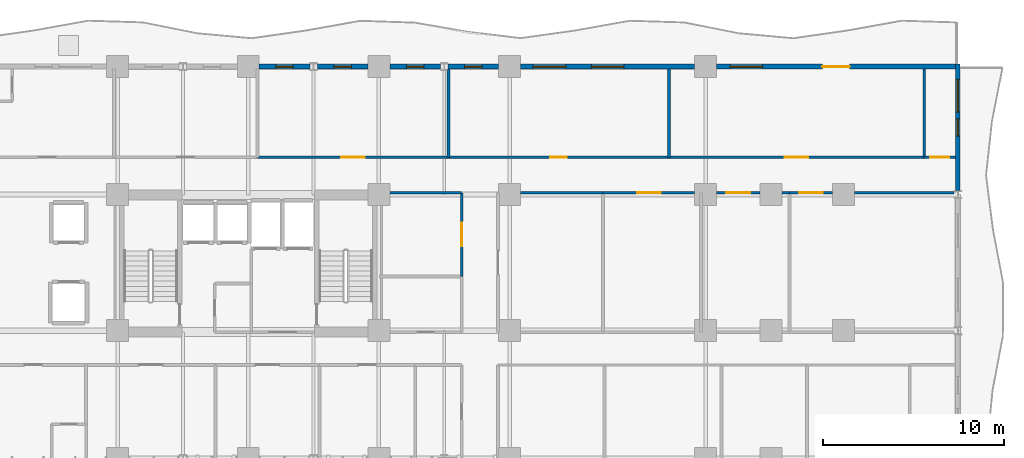
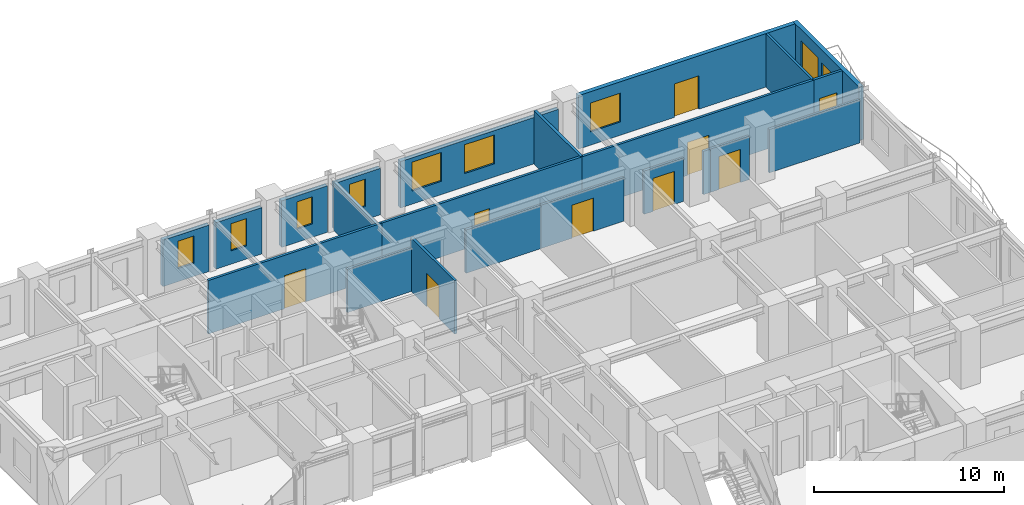
# One storey, part 12 of 16: 22 walls, 9 doors, 9 windows, 18 openings.
"""IFC4 building model written with IfcOpenShell, lengths in metres."""

from ifc_helpers import new_model, si_unit, direction, frame, frame_2d, origin, place, context, subcontext, project, spatial, rectangle, extrude, material, layer, layer_set, type_object, element, fill, save


model = new_model("IFC4")

# Units and contexts
model_context = context("Model", 3, precision=1e-05, world=origin(), true_north=direction((0.0, 1.0)))
body_context = subcontext(model_context, "Body", "Model", "MODEL_VIEW")
ifc_project = project(units=[si_unit("LENGTHUNIT", "METRE"), si_unit("AREAUNIT", "SQUARE_METRE"), si_unit("VOLUMEUNIT", "CUBIC_METRE"), si_unit("PLANEANGLEUNIT", "RADIAN"), si_unit("MASSUNIT", "GRAM", prefix="KILO")], contexts=[model_context])

# Site, building, storey
site_placement = place(None, origin())
site = spatial("IfcSite", under=ifc_project, at=site_placement, CompositionType="ELEMENT")
building_placement = place(site_placement, origin())
building = spatial("IfcBuilding", under=site, at=building_placement, Name="Kaliganga Portal Commons", CompositionType="ELEMENT")
storey_placement = place(building_placement, frame((0.0, 0.0, 97.10009765625)))
storey = spatial("IfcBuildingStorey", under=building, at=storey_placement, Name="L24", CompositionType="ELEMENT", Elevation=97.10009765625)

# Wall, openings, windows
ifc_material_1 = material(Name="Insulated Aluminium-Clad Spandrel Assembly", Category="aluminium")
ifc_layer_1 = layer(ifc_material_1, 0.260009765625)
ifc_layer_set_1 = layer_set([ifc_layer_1], Name="Insulated Aluminium-Clad Spandrel Assembly")
wall_type_1 = type_object("IfcWallType", Name="WL-EXT-SPAND-260", PredefinedType="STANDARD", material=ifc_layer_set_1)
wall_1_placement = place(storey_placement, frame((60.699951171875, 43.330078125, 0.0), z_axis=(0.0, 0.0, 1.0), x_axis=(0.0, -1.0, 0.0)))
wall_1 = element("IfcWall", 1, at=wall_1_placement, inside=storey, type_object=wall_type_1, Name="Exterior Envelope Wall L24 P1-E01-S6", PredefinedType="STANDARD", context=body_context, shape_type="SweptSolid", body=[
    extrude(rectangle(XDim=6.964111328125, YDim=0.260009765625, at=frame_2d((3.48193359375, 0.0))), origin(), (0.0, 0.0, 1.0), 3.429931640625),
])
opening_1_placement = place(wall_1_placement, frame((0.841064453125, 0.0, 0.85009765625)))
opening_1 = element("IfcOpeningElement", 2, at=opening_1_placement, cuts=wall_1, Name="Opening W-01", PredefinedType="OPENING", context=body_context, shape_type="SweptSolid", body=[
    extrude(rectangle(XDim=1.800048828125, YDim=1.85009765625, at=frame_2d((0.89990234375, 0.925048828125))), frame((0.0, 0.14013671875, 0.0), z_axis=(0.0, -1.0, 0.0), x_axis=(1.0, 0.0, 0.0)), (0.0, 0.0, 1.0), 0.280029296875),
])
opening_2_placement = place(wall_1_placement, frame((3.007080078125, 0.0, 0.85009765625)))
opening_2 = element("IfcOpeningElement", 3, at=opening_2_placement, cuts=wall_1, Name="Opening W-04", PredefinedType="OPENING", context=body_context, shape_type="SweptSolid", body=[
    extrude(rectangle(XDim=0.949951171875, YDim=1.75, at=frame_2d((0.47509765625, 0.875))), frame((0.0, 0.14013671875, 0.0), z_axis=(0.0, -1.0, 0.0), x_axis=(1.0, 0.0, 0.0)), (0.0, 0.0, 1.0), 0.280029296875),
])
ifc_material_2 = material(Name="Thermally Broken Aluminium and Low-E Double Glazing", Category="aluminium")
window_type_1 = type_object("IfcWindowType", Name="WIN-NARROW-950", PartitioningType="SINGLE_PANEL", PredefinedType="WINDOW", material=ifc_material_2)
window_1_placement = place(opening_2_placement, origin())
window_1 = element("IfcWindow", 4, at=window_1_placement, inside=storey, type_object=window_type_1, Name="Facade Window L24-P1E01S6-N0", OverallHeight=1.75, OverallWidth=0.949951171875, PartitioningType="SINGLE_PANEL", PredefinedType="WINDOW", context=body_context, shape_type="SweptSolid", body=[
    extrude(rectangle(XDim=0.949951171875, YDim=1.75, at=frame_2d((0.47509765625, 0.875))), frame((0.0, 0.030029296875, 0.0), z_axis=(0.0, -1.0, 0.0), x_axis=(1.0, 0.0, 0.0)), (0.0, 0.0, 1.0), 0.06005859375),
])
fill(opening_2, window_1)
window_type_2 = type_object("IfcWindowType", Name="WIN-STD-1800", PartitioningType="DOUBLE_PANEL_VERTICAL", PredefinedType="WINDOW", material=ifc_material_2)
window_2_placement = place(opening_1_placement, origin())
window_2 = element("IfcWindow", 5, at=window_2_placement, inside=storey, type_object=window_type_2, Name="Facade Window L24-P1E01S6-00", OverallHeight=1.85009765625, OverallWidth=1.800048828125, PartitioningType="SINGLE_PANEL", PredefinedType="WINDOW", context=body_context, shape_type="SweptSolid", body=[
    extrude(rectangle(XDim=1.800048828125, YDim=1.85009765625, at=frame_2d((0.89990234375, 0.925048828125))), frame((0.0, 0.030029296875, 0.0), z_axis=(0.0, -1.0, 0.0), x_axis=(1.0, 0.0, 0.0)), (0.0, 0.0, 1.0), 0.06005859375),
])
fill(opening_1, window_2)

# Wall, openings, door, window
wall_2_placement = place(storey_placement, frame((47.40087890625, 43.199951171875, 0.0), z_axis=(0.0, 0.0, 1.0), x_axis=(1.0, 0.0, 0.0)))
wall_2 = element("IfcWall", 6, at=wall_2_placement, inside=storey, type_object=wall_type_1, Name="Exterior Envelope Wall L24 P1-E02-S1", PredefinedType="STANDARD", context=body_context, shape_type="SweptSolid", body=[
    extrude(rectangle(XDim=13.1640625, YDim=0.260009765625, at=frame_2d((6.58203125, 0.0))), origin(), (0.0, 0.0, 1.0), 3.429931640625),
])
opening_3_placement = place(wall_2_placement, frame((5.83203125, 0.0, 0.0)))
opening_3 = element("IfcOpeningElement", 7, at=opening_3_placement, cuts=wall_2, Name="Opening BD-01", PredefinedType="OPENING", context=body_context, shape_type="SweptSolid", body=[
    extrude(rectangle(XDim=1.5, YDim=2.14990234375, at=frame_2d((0.75, 1.074951171875))), frame((0.0, 0.14013671875, 0.0), z_axis=(0.0, -1.0, 0.0), x_axis=(1.0, 0.0, 0.0)), (0.0, 0.0, 1.0), 0.280029296875),
])
opening_4_placement = place(wall_2_placement, frame((0.74560546875, 0.0, 0.85009765625)))
opening_4 = element("IfcOpeningElement", 8, at=opening_4_placement, cuts=wall_2, Name="Opening W-01", PredefinedType="OPENING", context=body_context, shape_type="SweptSolid", body=[
    extrude(rectangle(XDim=1.800048828125, YDim=1.85009765625, at=frame_2d((0.89990234375, 0.925048828125))), frame((0.0, 0.14013671875, 0.0), z_axis=(0.0, -1.0, 0.0), x_axis=(1.0, 0.0, 0.0)), (0.0, 0.0, 1.0), 0.280029296875),
])
ifc_material_3 = material(Name="Anodized Aluminium and Laminated Safety Glass", Category="aluminium")
door_type_1 = type_object("IfcDoorType", Name="DR-BALC-1500", OperationType="SLIDING_TO_LEFT", PredefinedType="DOOR", material=ifc_material_3)
door_1_placement = place(opening_3_placement, origin())
door_1 = element("IfcDoor", 9, at=door_1_placement, inside=storey, type_object=door_type_1, Name="Balcony Sliding Door L24 balc_north", OperationType="SLIDING_TO_LEFT", OverallHeight=2.14990234375, OverallWidth=1.5, PredefinedType="DOOR", context=body_context, shape_type="SweptSolid", body=[
    extrude(rectangle(XDim=1.5, YDim=2.14990234375, at=frame_2d((0.75, 1.074951171875))), frame((0.0, 0.02490234375, 0.0), z_axis=(0.0, -1.0, 0.0), x_axis=(1.0, 0.0, 0.0)), (0.0, 0.0, 1.0), 0.050048828125),
])
fill(opening_3, door_1)
window_3_placement = place(opening_4_placement, origin())
window_3 = element("IfcWindow", 10, at=window_3_placement, inside=storey, type_object=window_type_2, Name="Facade Window L24-P1E02S1-00", OverallHeight=1.85009765625, OverallWidth=1.800048828125, PartitioningType="SINGLE_PANEL", PredefinedType="WINDOW", context=body_context, shape_type="SweptSolid", body=[
    extrude(rectangle(XDim=1.800048828125, YDim=1.85009765625, at=frame_2d((0.89990234375, 0.925048828125))), frame((0.0, 0.030029296875, 0.0), z_axis=(0.0, -1.0, 0.0), x_axis=(1.0, 0.0, 0.0)), (0.0, 0.0, 1.0), 0.06005859375),
])
fill(opening_4, window_3)

# Wall, openings, windows
wall_3_placement = place(storey_placement, frame((36.60107421875, 43.199951171875, 0.0), z_axis=(0.0, 0.0, 1.0), x_axis=(1.0, 0.0, 0.0)))
wall_3 = element("IfcWall", 11, at=wall_3_placement, inside=storey, type_object=wall_type_1, Name="Exterior Envelope Wall L24 P1-E02-S2", PredefinedType="STANDARD", context=body_context, shape_type="SweptSolid", body=[
    extrude(rectangle(XDim=9.597900390625, YDim=0.260009765625, at=frame_2d((4.798828125, 0.0))), origin(), (0.0, 0.0, 1.0), 2.97998046875),
])
opening_5_placement = place(wall_3_placement, frame((0.69970703125, 0.0, 0.85009765625)))
opening_5 = element("IfcOpeningElement", 12, at=opening_5_placement, cuts=wall_3, Name="Opening W-01", PredefinedType="OPENING", context=body_context, shape_type="SweptSolid", body=[
    extrude(rectangle(XDim=1.800048828125, YDim=1.85009765625, at=frame_2d((0.89990234375, 0.925048828125))), frame((0.0, 0.14013671875, 0.0), z_axis=(0.0, -1.0, 0.0), x_axis=(1.0, 0.0, 0.0)), (0.0, 0.0, 1.0), 0.280029296875),
])
opening_6_placement = place(wall_3_placement, frame((3.89892578125, 0.0, 0.85009765625)))
opening_6 = element("IfcOpeningElement", 13, at=opening_6_placement, cuts=wall_3, Name="Opening W-01", PredefinedType="OPENING", context=body_context, shape_type="SweptSolid", body=[
    extrude(rectangle(XDim=1.800048828125, YDim=1.85009765625, at=frame_2d((0.89990234375, 0.925048828125))), frame((0.0, 0.14013671875, 0.0), z_axis=(0.0, -1.0, 0.0), x_axis=(1.0, 0.0, 0.0)), (0.0, 0.0, 1.0), 0.280029296875),
])
window_4_placement = place(opening_5_placement, origin())
window_4 = element("IfcWindow", 14, at=window_4_placement, inside=storey, type_object=window_type_2, Name="Facade Window L24-P1E02S2-00", OverallHeight=1.85009765625, OverallWidth=1.800048828125, PartitioningType="SINGLE_PANEL", PredefinedType="WINDOW", context=body_context, shape_type="SweptSolid", body=[
    extrude(rectangle(XDim=1.800048828125, YDim=1.85009765625, at=frame_2d((0.89990234375, 0.925048828125))), frame((0.0, 0.030029296875, 0.0), z_axis=(0.0, -1.0, 0.0), x_axis=(1.0, 0.0, 0.0)), (0.0, 0.0, 1.0), 0.06005859375),
])
fill(opening_5, window_4)
window_5_placement = place(opening_6_placement, origin())
window_5 = element("IfcWindow", 15, at=window_5_placement, inside=storey, type_object=window_type_2, Name="Facade Window L24-P1E02S2-01", OverallHeight=1.85009765625, OverallWidth=1.800048828125, PartitioningType="SINGLE_PANEL", PredefinedType="WINDOW", context=body_context, shape_type="SweptSolid", body=[
    extrude(rectangle(XDim=1.800048828125, YDim=1.85009765625, at=frame_2d((0.89990234375, 0.925048828125))), frame((0.0, 0.030029296875, 0.0), z_axis=(0.0, -1.0, 0.0), x_axis=(1.0, 0.0, 0.0)), (0.0, 0.0, 1.0), 0.06005859375),
])
fill(opening_6, window_5)

# Wall, opening, window
wall_4_placement = place(storey_placement, frame((32.60546875, 43.199951171875, 0.0), z_axis=(0.0, 0.0, 1.0), x_axis=(1.0, 0.0, 0.0)))
wall_4 = element("IfcWall", 16, at=wall_4_placement, inside=storey, type_object=wall_type_1, Name="Exterior Envelope Wall L24 P1-E02-S3", PredefinedType="STANDARD", context=body_context, shape_type="SweptSolid", body=[
    extrude(rectangle(XDim=2.79345703125, YDim=0.260009765625, at=frame_2d((1.396728515625, 0.0))), origin(), (0.0, 0.0, 1.0), 2.97998046875),
])
opening_7_placement = place(wall_4_placement, frame((0.921875, 0.0, 0.85009765625)))
opening_7 = element("IfcOpeningElement", 17, at=opening_7_placement, cuts=wall_4, Name="Opening W-04", PredefinedType="OPENING", context=body_context, shape_type="SweptSolid", body=[
    extrude(rectangle(XDim=0.949951171875, YDim=1.75, at=frame_2d((0.47509765625, 0.875))), frame((0.0, 0.14013671875, 0.0), z_axis=(0.0, -1.0, 0.0), x_axis=(1.0, 0.0, 0.0)), (0.0, 0.0, 1.0), 0.280029296875),
])
window_6_placement = place(opening_7_placement, origin())
window_6 = element("IfcWindow", 18, at=window_6_placement, inside=storey, type_object=window_type_1, Name="Facade Window L24-P1E02S3-00", OverallHeight=1.75, OverallWidth=0.949951171875, PartitioningType="SINGLE_PANEL", PredefinedType="WINDOW", context=body_context, shape_type="SweptSolid", body=[
    extrude(rectangle(XDim=0.949951171875, YDim=1.75, at=frame_2d((0.47509765625, 0.875))), frame((0.0, 0.030029296875, 0.0), z_axis=(0.0, -1.0, 0.0), x_axis=(1.0, 0.0, 0.0)), (0.0, 0.0, 1.0), 0.06005859375),
])
fill(opening_7, window_6)

wall_5_placement = place(storey_placement, frame((29.40087890625, 43.199951171875, 0.0), z_axis=(0.0, 0.0, 1.0), x_axis=(1.0, 0.0, 0.0)))
wall_5 = element("IfcWall", 19, at=wall_5_placement, inside=storey, type_object=wall_type_1, Name="Exterior Envelope Wall L24 P1-E02-S4", PredefinedType="STANDARD", context=body_context, shape_type="SweptSolid", body=[
    extrude(rectangle(XDim=2.793701171875, YDim=0.260009765625, at=frame_2d((1.39697265625, 0.0))), origin(), (0.0, 0.0, 1.0), 2.97998046875),
])
opening_8_placement = place(wall_5_placement, frame((0.921630859375, 0.0, 0.85009765625)))
opening_8 = element("IfcOpeningElement", 20, at=opening_8_placement, cuts=wall_5, Name="Opening W-04", PredefinedType="OPENING", context=body_context, shape_type="SweptSolid", body=[
    extrude(rectangle(XDim=0.949951171875, YDim=1.75, at=frame_2d((0.47509765625, 0.875))), frame((0.0, 0.14013671875, 0.0), z_axis=(0.0, -1.0, 0.0), x_axis=(1.0, 0.0, 0.0)), (0.0, 0.0, 1.0), 0.280029296875),
])
window_7_placement = place(opening_8_placement, origin())
window_7 = element("IfcWindow", 21, at=window_7_placement, inside=storey, type_object=window_type_1, Name="Facade Window L24-P1E02S4-00", OverallHeight=1.75, OverallWidth=0.949951171875, PartitioningType="SINGLE_PANEL", PredefinedType="WINDOW", context=body_context, shape_type="SweptSolid", body=[
    extrude(rectangle(XDim=0.949951171875, YDim=1.75, at=frame_2d((0.47509765625, 0.875))), frame((0.0, 0.030029296875, 0.0), z_axis=(0.0, -1.0, 0.0), x_axis=(1.0, 0.0, 0.0)), (0.0, 0.0, 1.0), 0.06005859375),
])
fill(opening_8, window_7)

wall_6_placement = place(storey_placement, frame((25.405517578125, 43.199951171875, 0.0), z_axis=(0.0, 0.0, 1.0), x_axis=(1.0, 0.0, 0.0)))
wall_6 = element("IfcWall", 22, at=wall_6_placement, inside=storey, type_object=wall_type_1, Name="Exterior Envelope Wall L24 P1-E02-S5", PredefinedType="STANDARD", context=body_context, shape_type="SweptSolid", body=[
    extrude(rectangle(XDim=2.79345703125, YDim=0.260009765625, at=frame_2d((1.396728515625, 0.0))), origin(), (0.0, 0.0, 1.0), 2.97998046875),
])
opening_9_placement = place(wall_6_placement, frame((0.921875, 0.0, 0.85009765625)))
opening_9 = element("IfcOpeningElement", 23, at=opening_9_placement, cuts=wall_6, Name="Opening W-04", PredefinedType="OPENING", context=body_context, shape_type="SweptSolid", body=[
    extrude(rectangle(XDim=0.949951171875, YDim=1.75, at=frame_2d((0.47509765625, 0.875))), frame((0.0, 0.14013671875, 0.0), z_axis=(0.0, -1.0, 0.0), x_axis=(1.0, 0.0, 0.0)), (0.0, 0.0, 1.0), 0.280029296875),
])
window_8_placement = place(opening_9_placement, origin())
window_8 = element("IfcWindow", 24, at=window_8_placement, inside=storey, type_object=window_type_1, Name="Facade Window L24-P1E02S5-00", OverallHeight=1.75, OverallWidth=0.949951171875, PartitioningType="SINGLE_PANEL", PredefinedType="WINDOW", context=body_context, shape_type="SweptSolid", body=[
    extrude(rectangle(XDim=0.949951171875, YDim=1.75, at=frame_2d((0.47509765625, 0.875))), frame((0.0, 0.030029296875, 0.0), z_axis=(0.0, -1.0, 0.0), x_axis=(1.0, 0.0, 0.0)), (0.0, 0.0, 1.0), 0.06005859375),
])
fill(opening_9, window_8)

wall_7_placement = place(storey_placement, frame((22.200927734375, 43.199951171875, 0.0), z_axis=(0.0, 0.0, 1.0), x_axis=(1.0, 0.0, 0.0)))
wall_7 = element("IfcWall", 25, at=wall_7_placement, inside=storey, type_object=wall_type_1, Name="Exterior Envelope Wall L24 P1-E02-S6", PredefinedType="STANDARD", context=body_context, shape_type="SweptSolid", body=[
    extrude(rectangle(XDim=2.79345703125, YDim=0.260009765625, at=frame_2d((1.396728515625, 0.0))), origin(), (0.0, 0.0, 1.0), 2.97998046875),
])
opening_10_placement = place(wall_7_placement, frame((0.921630859375, 0.0, 0.85009765625)))
opening_10 = element("IfcOpeningElement", 26, at=opening_10_placement, cuts=wall_7, Name="Opening W-04", PredefinedType="OPENING", context=body_context, shape_type="SweptSolid", body=[
    extrude(rectangle(XDim=0.949951171875, YDim=1.75, at=frame_2d((0.47509765625, 0.875))), frame((0.0, 0.14013671875, 0.0), z_axis=(0.0, -1.0, 0.0), x_axis=(1.0, 0.0, 0.0)), (0.0, 0.0, 1.0), 0.280029296875),
])
window_9_placement = place(opening_10_placement, origin())
window_9 = element("IfcWindow", 27, at=window_9_placement, inside=storey, type_object=window_type_1, Name="Facade Window L24-P1E02S6-00", OverallHeight=1.75, OverallWidth=0.949951171875, PartitioningType="SINGLE_PANEL", PredefinedType="WINDOW", context=body_context, shape_type="SweptSolid", body=[
    extrude(rectangle(XDim=0.949951171875, YDim=1.75, at=frame_2d((0.47509765625, 0.875))), frame((0.0, 0.030029296875, 0.0), z_axis=(0.0, -1.0, 0.0), x_axis=(1.0, 0.0, 0.0)), (0.0, 0.0, 1.0), 0.06005859375),
])
fill(opening_10, window_9)

# Wall, opening, door
ifc_material_4 = material(Name="Fire-Rated Gypsum Board on Steel Stud", Category="steel")
ifc_layer_2 = layer(ifc_material_4, 0.14990234375)
ifc_layer_set_2 = layer_set([ifc_layer_2], Name="Fire-Rated Gypsum Board on Steel Stud")
wall_type_2 = type_object("IfcWallType", Name="WL-PART-CORR-150", PredefinedType="PARTITIONING", material=ifc_layer_set_2)
wall_8_placement = place(storey_placement, frame((44.780029296875, 38.199951171875, 0.0), z_axis=(0.0, 0.0, 1.0), x_axis=(1.0, 0.0, 0.0)))
wall_8 = element("IfcWall", 28, at=wall_8_placement, inside=storey, type_object=wall_type_2, Name="Interior Partition L24-006", PredefinedType="PARTITIONING", context=body_context, shape_type="SweptSolid", body=[
    extrude(rectangle(XDim=14.06005859375, YDim=0.14990234375, at=frame_2d((7.030029296875, 0.0))), origin(), (0.0, 0.0, 1.0), 3.429931640625),
])
opening_11_placement = place(wall_8_placement, frame((6.3798828125, 0.0, 0.0)))
opening_11 = element("IfcOpeningElement", 29, at=opening_11_placement, cuts=wall_8, Name="Opening RD-03", PredefinedType="OPENING", context=body_context, shape_type="SweptSolid", body=[
    extrude(rectangle(XDim=1.300048828125, YDim=2.1201171875, at=frame_2d((0.64990234375, 1.06005859375))), frame((0.0, 0.0849609375, 0.0), z_axis=(0.0, -1.0, 0.0), x_axis=(1.0, 0.0, 0.0)), (0.0, 0.0, 1.0), 0.169921875),
])
ifc_material_5 = material(Name="Glazed Timber Seminar Vision Door", Category="wood")
door_type_2 = type_object("IfcDoorType", Name="DR-STUDY-1300", OperationType="DOUBLE_DOOR_SINGLE_SWING", PredefinedType="DOOR", material=ifc_material_5)
door_2_placement = place(opening_11_placement, origin())
door_2 = element("IfcDoor", 30, at=door_2_placement, inside=storey, type_object=door_type_2, Name="Interior Door L24-AN05", OperationType="DOUBLE_DOOR_SINGLE_SWING", OverallHeight=2.1201171875, OverallWidth=1.300048828125, PredefinedType="DOOR", context=body_context, shape_type="SweptSolid", body=[
    extrude(rectangle(XDim=1.300048828125, YDim=2.1201171875, at=frame_2d((0.64990234375, 1.06005859375))), frame((0.0, 0.02490234375, 0.0), z_axis=(0.0, -1.0, 0.0), x_axis=(1.0, 0.0, 0.0)), (0.0, 0.0, 1.0), 0.050048828125),
])
fill(opening_11, door_2)

wall_9_placement = place(storey_placement, frame((32.6201171875, 38.199951171875, 0.0), z_axis=(0.0, 0.0, 1.0), x_axis=(1.0, 0.0, 0.0)))
wall_9 = element("IfcWall", 31, at=wall_9_placement, inside=storey, type_object=wall_type_2, Name="Interior Partition L24-008", PredefinedType="PARTITIONING", context=body_context, shape_type="SweptSolid", body=[
    extrude(rectangle(XDim=12.159912109375, YDim=0.14990234375, at=frame_2d((6.080078125, 0.0))), origin(), (0.0, 0.0, 1.0), 3.429931640625),
])
opening_12_placement = place(wall_9_placement, frame((5.6298828125, 0.0, 0.0)))
opening_12 = element("IfcOpeningElement", 32, at=opening_12_placement, cuts=wall_9, Name="Opening RD-01", PredefinedType="OPENING", context=body_context, shape_type="SweptSolid", body=[
    extrude(rectangle(XDim=0.89990234375, YDim=2.080078125, at=frame_2d((0.449951171875, 1.0400390625))), frame((0.0, 0.0849609375, 0.0), z_axis=(0.0, -1.0, 0.0), x_axis=(1.0, 0.0, 0.0)), (0.0, 0.0, 1.0), 0.169921875),
])
ifc_material_6 = material(Name="Engineered Timber Flush Door", Category="wood")
door_type_3 = type_object("IfcDoorType", Name="DR-ROOM-900", OperationType="NOTDEFINED", PredefinedType="DOOR", material=ifc_material_6)
door_3_placement = place(opening_12_placement, origin())
door_3 = element("IfcDoor", 33, at=door_3_placement, inside=storey, type_object=door_type_3, Name="Interior Door L24-AN04", OperationType="SINGLE_SWING_LEFT", OverallHeight=2.080078125, OverallWidth=0.89990234375, PredefinedType="DOOR", context=body_context, shape_type="SweptSolid", body=[
    extrude(rectangle(XDim=0.89990234375, YDim=2.080078125, at=frame_2d((0.449951171875, 1.0400390625))), frame((0.0, 0.02490234375, 0.0), z_axis=(0.0, -1.0, 0.0), x_axis=(1.0, 0.0, 0.0)), (0.0, 0.0, 1.0), 0.050048828125),
])
fill(opening_12, door_3)

wall_10_placement = place(storey_placement, frame((22.10009765625, 38.199951171875, 0.0), z_axis=(0.0, 0.0, 1.0), x_axis=(1.0, 0.0, 0.0)))
wall_10 = element("IfcWall", 34, at=wall_10_placement, inside=storey, type_object=wall_type_2, Name="Interior Partition L24-009", PredefinedType="PARTITIONING", context=body_context, shape_type="SweptSolid", body=[
    extrude(rectangle(XDim=10.52001953125, YDim=0.14990234375, at=frame_2d((5.260009765625, 0.0))), origin(), (0.0, 0.0, 1.0), 3.429931640625),
])
opening_13_placement = place(wall_10_placement, frame((4.610107421875, 0.0, 0.0)))
opening_13 = element("IfcOpeningElement", 35, at=opening_13_placement, cuts=wall_10, Name="Opening RD-03", PredefinedType="OPENING", context=body_context, shape_type="SweptSolid", body=[
    extrude(rectangle(XDim=1.300048828125, YDim=2.1201171875, at=frame_2d((0.64990234375, 1.06005859375))), frame((0.0, 0.0849609375, 0.0), z_axis=(0.0, -1.0, 0.0), x_axis=(1.0, 0.0, 0.0)), (0.0, 0.0, 1.0), 0.169921875),
])
door_4_placement = place(opening_13_placement, origin())
door_4 = element("IfcDoor", 36, at=door_4_placement, inside=storey, type_object=door_type_2, Name="Interior Door L24-AN03", OperationType="DOUBLE_DOOR_SINGLE_SWING", OverallHeight=2.1201171875, OverallWidth=1.300048828125, PredefinedType="DOOR", context=body_context, shape_type="SweptSolid", body=[
    extrude(rectangle(XDim=1.300048828125, YDim=2.1201171875, at=frame_2d((0.64990234375, 1.06005859375))), frame((0.0, 0.02490234375, 0.0), z_axis=(0.0, -1.0, 0.0), x_axis=(1.0, 0.0, 0.0)), (0.0, 0.0, 1.0), 0.050048828125),
])
fill(opening_13, door_4)

wall_11_placement = place(storey_placement, frame((51.419921875, 36.239990234375, 0.0), z_axis=(0.0, 0.0, 1.0), x_axis=(1.0, 0.0, 0.0)))
wall_11 = element("IfcWall", 37, at=wall_11_placement, inside=storey, type_object=wall_type_2, Name="Interior Partition L24-014", PredefinedType="PARTITIONING", context=body_context, shape_type="SweptSolid", body=[
    extrude(rectangle(XDim=2.380126953125, YDim=0.14990234375, at=frame_2d((1.18994140625, 0.0))), origin(), (0.0, 0.0, 1.0), 2.77978515625),
])
opening_14_placement = place(wall_11_placement, frame((0.5400390625, 0.0, 0.0)))
opening_14 = element("IfcOpeningElement", 38, at=opening_14_placement, cuts=wall_11, Name="Opening RD-03", PredefinedType="OPENING", context=body_context, shape_type="SweptSolid", body=[
    extrude(rectangle(XDim=1.300048828125, YDim=2.1201171875, at=frame_2d((0.64990234375, 1.06005859375))), frame((0.0, 0.0849609375, 0.0), z_axis=(0.0, -1.0, 0.0), x_axis=(1.0, 0.0, 0.0)), (0.0, 0.0, 1.0), 0.169921875),
])
door_5_placement = place(opening_14_placement, origin())
door_5 = element("IfcDoor", 39, at=door_5_placement, inside=storey, type_object=door_type_2, Name="Interior Door L24-BK04", OperationType="DOUBLE_DOOR_SINGLE_SWING", OverallHeight=2.1201171875, OverallWidth=1.300048828125, PredefinedType="DOOR", context=body_context, shape_type="SweptSolid", body=[
    extrude(rectangle(XDim=1.300048828125, YDim=2.1201171875, at=frame_2d((0.64990234375, 1.06005859375))), frame((0.0, 0.02490234375, 0.0), z_axis=(0.0, -1.0, 0.0), x_axis=(1.0, 0.0, 0.0)), (0.0, 0.0, 1.0), 0.050048828125),
])
fill(opening_14, door_5)

# Walls
wall_12_placement = place(storey_placement, frame((55.0, 36.239990234375, 0.0), z_axis=(0.0, 0.0, 1.0), x_axis=(1.0, 0.0, 0.0)))
element("IfcWall", 40, at=wall_12_placement, inside=storey, type_object=wall_type_2, Name="Interior Partition L24-015", PredefinedType="PARTITIONING", context=body_context, shape_type="SweptSolid", body=[
    extrude(rectangle(XDim=5.49560546875, YDim=0.14990234375, at=frame_2d((2.747802734375, 0.0))), origin(), (0.0, 0.0, 1.0), 2.77978515625),
])
wall_13_placement = place(storey_placement, frame((36.60009765625, 36.239990234375, 0.0), z_axis=(0.0, 0.0, 1.0), x_axis=(1.0, 0.0, 0.0)))
element("IfcWall", 41, at=wall_13_placement, inside=storey, type_object=wall_type_2, Name="Interior Partition L24-027", PredefinedType="PARTITIONING", context=body_context, shape_type="SweptSolid", body=[
    extrude(rectangle(XDim=4.559814453125, YDim=0.14990234375, at=frame_2d((2.27978515625, 0.0))), origin(), (0.0, 0.0, 1.0), 2.77978515625),
])

# Wall, opening, door
wall_14_placement = place(storey_placement, frame((41.159912109375, 36.239990234375, 0.0), z_axis=(0.0, 0.0, 1.0), x_axis=(1.0, 0.0, 0.0)))
wall_14 = element("IfcWall", 42, at=wall_14_placement, inside=storey, type_object=wall_type_2, Name="Interior Partition L24-030", PredefinedType="PARTITIONING", context=body_context, shape_type="SweptSolid", body=[
    extrude(rectangle(XDim=5.0400390625, YDim=0.14990234375, at=frame_2d((2.52001953125, 0.0))), origin(), (0.0, 0.0, 1.0), 2.77978515625),
])
opening_15_placement = place(wall_14_placement, frame((1.8701171875, 0.0, 0.0)))
opening_15 = element("IfcOpeningElement", 43, at=opening_15_placement, cuts=wall_14, Name="Opening RD-03", PredefinedType="OPENING", context=body_context, shape_type="SweptSolid", body=[
    extrude(rectangle(XDim=1.300048828125, YDim=2.1201171875, at=frame_2d((0.64990234375, 1.06005859375))), frame((0.0, 0.0849609375, 0.0), z_axis=(0.0, -1.0, 0.0), x_axis=(1.0, 0.0, 0.0)), (0.0, 0.0, 1.0), 0.169921875),
])
door_6_placement = place(opening_15_placement, origin())
door_6 = element("IfcDoor", 44, at=door_6_placement, inside=storey, type_object=door_type_2, Name="Interior Door L24-BK02", OperationType="DOUBLE_DOOR_SINGLE_SWING", OverallHeight=2.1201171875, OverallWidth=1.300048828125, PredefinedType="DOOR", context=body_context, shape_type="SweptSolid", body=[
    extrude(rectangle(XDim=1.300048828125, YDim=2.1201171875, at=frame_2d((0.64990234375, 1.06005859375))), frame((0.0, 0.02490234375, 0.0), z_axis=(0.0, -1.0, 0.0), x_axis=(1.0, 0.0, 0.0)), (0.0, 0.0, 1.0), 0.050048828125),
])
fill(opening_15, door_6)

wall_15_placement = place(storey_placement, frame((47.39990234375, 36.239990234375, 0.0), z_axis=(0.0, 0.0, 1.0), x_axis=(1.0, 0.0, 0.0)))
wall_15 = element("IfcWall", 45, at=wall_15_placement, inside=storey, type_object=wall_type_2, Name="Interior Partition L24-033", PredefinedType="PARTITIONING", context=body_context, shape_type="SweptSolid", body=[
    extrude(rectangle(XDim=2.400146484375, YDim=0.14990234375, at=frame_2d((1.2001953125, 0.0))), origin(), (0.0, 0.0, 1.0), 2.77978515625),
])
opening_16_placement = place(wall_15_placement, frame((0.550048828125, 0.0, 0.0)))
opening_16 = element("IfcOpeningElement", 46, at=opening_16_placement, cuts=wall_15, Name="Opening RD-03", PredefinedType="OPENING", context=body_context, shape_type="SweptSolid", body=[
    extrude(rectangle(XDim=1.300048828125, YDim=2.1201171875, at=frame_2d((0.64990234375, 1.06005859375))), frame((0.0, 0.0849609375, 0.0), z_axis=(0.0, -1.0, 0.0), x_axis=(1.0, 0.0, 0.0)), (0.0, 0.0, 1.0), 0.169921875),
])
door_7_placement = place(opening_16_placement, origin())
door_7 = element("IfcDoor", 47, at=door_7_placement, inside=storey, type_object=door_type_2, Name="Interior Door L24-BK03", OperationType="DOUBLE_DOOR_SINGLE_SWING", OverallHeight=2.1201171875, OverallWidth=1.300048828125, PredefinedType="DOOR", context=body_context, shape_type="SweptSolid", body=[
    extrude(rectangle(XDim=1.300048828125, YDim=2.1201171875, at=frame_2d((0.64990234375, 1.06005859375))), frame((0.0, 0.02490234375, 0.0), z_axis=(0.0, -1.0, 0.0), x_axis=(1.0, 0.0, 0.0)), (0.0, 0.0, 1.0), 0.050048828125),
])
fill(opening_16, door_7)

# Wall
wall_16_placement = place(storey_placement, frame((51.0, 36.239990234375, 0.0), z_axis=(0.0, 0.0, 1.0), x_axis=(1.0, 0.0, 0.0)))
element("IfcWall", 48, at=wall_16_placement, inside=storey, type_object=wall_type_2, Name="Interior Partition L24-034", PredefinedType="PARTITIONING", context=body_context, shape_type="SweptSolid", body=[
    extrude(rectangle(XDim=0.419921875, YDim=0.14990234375, at=frame_2d((0.2099609375, 0.0))), origin(), (0.0, 0.0, 1.0), 2.77978515625),
])

# Wall, opening, door
wall_17_placement = place(storey_placement, frame((33.360107421875, 31.639892578125, 0.0), z_axis=(0.0, 0.0, 1.0), x_axis=(0.0, 1.0, 0.0)))
wall_17 = element("IfcWall", 49, at=wall_17_placement, inside=storey, type_object=wall_type_2, Name="Interior Partition L24-036", PredefinedType="PARTITIONING", context=body_context, shape_type="SweptSolid", body=[
    extrude(rectangle(XDim=4.60009765625, YDim=0.14990234375, at=frame_2d((2.300048828125, 0.0))), origin(), (0.0, 0.0, 1.0), 3.429931640625),
])
opening_17_placement = place(wall_17_placement, frame((1.64990234375, 0.0, 0.0)))
opening_17 = element("IfcOpeningElement", 50, at=opening_17_placement, cuts=wall_17, Name="Opening RD-03", PredefinedType="OPENING", context=body_context, shape_type="SweptSolid", body=[
    extrude(rectangle(XDim=1.300048828125, YDim=2.1201171875, at=frame_2d((0.64990234375, 1.06005859375))), frame((0.0, 0.0849609375, 0.0), z_axis=(0.0, -1.0, 0.0), x_axis=(1.0, 0.0, 0.0)), (0.0, 0.0, 1.0), 0.169921875),
])
door_8_placement = place(opening_17_placement, origin())
door_8 = element("IfcDoor", 51, at=door_8_placement, inside=storey, type_object=door_type_2, Name="Interior Door L24-CSRV_A2", OperationType="DOUBLE_DOOR_SINGLE_SWING", OverallHeight=2.1201171875, OverallWidth=1.300048828125, PredefinedType="DOOR", context=body_context, shape_type="SweptSolid", body=[
    extrude(rectangle(XDim=1.300048828125, YDim=2.1201171875, at=frame_2d((0.64990234375, 1.06005859375))), frame((0.0, 0.02490234375, 0.0), z_axis=(0.0, -1.0, 0.0), x_axis=(1.0, 0.0, 0.0)), (0.0, 0.0, 1.0), 0.050048828125),
])
fill(opening_17, door_8)

# Wall
wall_18_placement = place(storey_placement, frame((29.39990234375, 36.239990234375, 0.0), z_axis=(0.0, 0.0, 1.0), x_axis=(1.0, 0.0, 0.0)))
element("IfcWall", 52, at=wall_18_placement, inside=storey, type_object=wall_type_2, Name="Interior Partition L24-038", PredefinedType="PARTITIONING", context=body_context, shape_type="SweptSolid", body=[
    extrude(rectangle(XDim=3.960205078125, YDim=0.14990234375, at=frame_2d((1.97998046875, 0.0))), origin(), (0.0, 0.0, 1.0), 2.77978515625),
])

# Wall, opening, door
wall_19_placement = place(storey_placement, frame((58.840087890625, 38.199951171875, 0.0), z_axis=(0.0, 0.0, 1.0), x_axis=(1.0, 0.0, 0.0)))
wall_19 = element("IfcWall", 53, at=wall_19_placement, inside=storey, type_object=wall_type_2, Name="Interior Partition L24-046", PredefinedType="PARTITIONING", context=body_context, shape_type="SweptSolid", body=[
    extrude(rectangle(XDim=1.72802734375, YDim=0.14990234375, at=frame_2d((0.864013671875, 0.0))), origin(), (0.0, 0.0, 1.0), 3.429931640625),
])
opening_18_placement = place(wall_19_placement, frame((0.339111328125, 0.0, 0.0)))
opening_18 = element("IfcOpeningElement", 54, at=opening_18_placement, cuts=wall_19, Name="Opening UD-02", PredefinedType="OPENING", context=body_context, shape_type="SweptSolid", body=[
    extrude(rectangle(XDim=1.050048828125, YDim=2.1201171875, at=frame_2d((0.52490234375, 1.06005859375))), frame((0.0, 0.0849609375, 0.0), z_axis=(0.0, -1.0, 0.0), x_axis=(1.0, 0.0, 0.0)), (0.0, 0.0, 1.0), 0.169921875),
])
ifc_material_7 = material(Name="Accessible Wide-Leaf Acoustic Fire Door", Category="wood")
door_type_4 = type_object("IfcDoorType", Name="DR-ACC-1050", OperationType="NOTDEFINED", PredefinedType="DOOR", material=ifc_material_7)
door_9_placement = place(opening_18_placement, origin())
door_9 = element("IfcDoor", 55, at=door_9_placement, inside=storey, type_object=door_type_4, Name="Interior Door L24-AN06", OperationType="SINGLE_SWING_LEFT", OverallHeight=2.1201171875, OverallWidth=1.050048828125, PredefinedType="DOOR", context=body_context, shape_type="SweptSolid", body=[
    extrude(rectangle(XDim=1.050048828125, YDim=2.1201171875, at=frame_2d((0.52490234375, 1.06005859375))), frame((0.0, 0.02490234375, 0.0), z_axis=(0.0, -1.0, 0.0), x_axis=(1.0, 0.0, 0.0)), (0.0, 0.0, 1.0), 0.050048828125),
])
fill(opening_18, door_9)

# Walls
ifc_material_8 = material(Name="Twin-Stud Acoustic Gypsum Partition", Category="gypsum")
ifc_layer_3 = layer(ifc_material_8, 0.1650390625)
ifc_layer_set_3 = layer_set([ifc_layer_3], Name="Twin-Stud Acoustic Gypsum Partition")
wall_type_3 = type_object("IfcWallType", Name="WL-PART-UNIT-165", PredefinedType="PARTITIONING", material=ifc_layer_set_3)
wall_20_placement = place(storey_placement, frame((32.6201171875, 38.199951171875, 0.0), z_axis=(0.0, 0.0, 1.0), x_axis=(0.0, 1.0, 0.0)))
element("IfcWall", 56, at=wall_20_placement, inside=storey, type_object=wall_type_3, Name="Interior Partition L24-067", PredefinedType="PARTITIONING", context=body_context, shape_type="SweptSolid", body=[
    extrude(rectangle(XDim=4.8681640625, YDim=0.1650390625, at=frame_2d((2.43408203125, 0.0))), origin(), (0.0, 0.0, 1.0), 3.099853515625),
])
wall_21_placement = place(storey_placement, frame((44.780029296875, 38.199951171875, 0.0), z_axis=(0.0, 0.0, 1.0), x_axis=(0.0, 1.0, 0.0)))
element("IfcWall", 57, at=wall_21_placement, inside=storey, type_object=wall_type_3, Name="Interior Partition L24-068", PredefinedType="PARTITIONING", context=body_context, shape_type="SweptSolid", body=[
    extrude(rectangle(XDim=4.8681640625, YDim=0.1650390625, at=frame_2d((2.43408203125, 0.0))), origin(), (0.0, 0.0, 1.0), 3.429931640625),
])
ifc_material_9 = material(Name="Cement-Board Wet-Room Partition", Category="gypsum")
ifc_layer_4 = layer(ifc_material_9, 0.135009765625)
ifc_layer_set_4 = layer_set([ifc_layer_4], Name="Cement-Board Wet-Room Partition")
wall_type_4 = type_object("IfcWallType", Name="WL-PART-WET-135", PredefinedType="PARTITIONING", material=ifc_layer_set_4)
wall_22_placement = place(storey_placement, frame((58.840087890625, 38.199951171875, 0.0), z_axis=(0.0, 0.0, 1.0), x_axis=(0.0, 1.0, 0.0)))
element("IfcWall", 58, at=wall_22_placement, inside=storey, type_object=wall_type_4, Name="Interior Partition L24-069", PredefinedType="PARTITIONING", context=body_context, shape_type="SweptSolid", body=[
    extrude(rectangle(XDim=4.8681640625, YDim=0.135009765625, at=frame_2d((2.43408203125, 0.0))), origin(), (0.0, 0.0, 1.0), 3.429931640625),
])

save(model, "model.ifc")
